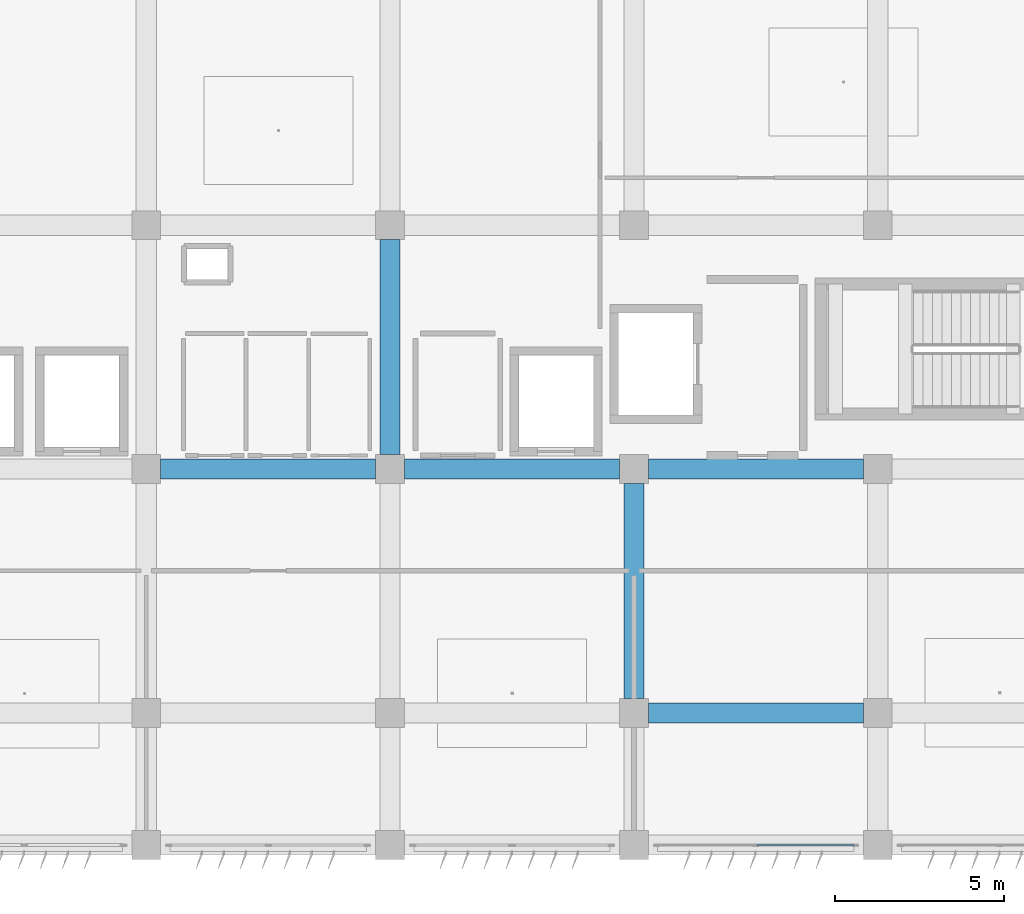
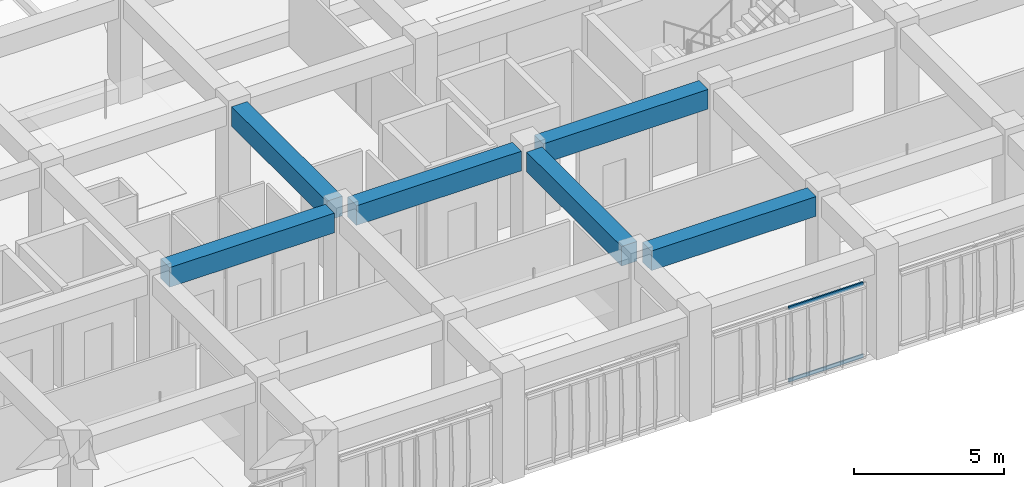
# One storey, part 15 of 48: 6 beams, 2 members, 1 element without a shape of its own.
"""IFC4 building model written with IfcOpenShell, lengths in metres."""

from ifc_helpers import new_model, si_unit, direction, frame, origin, origin_2d, place, context, subcontext, project, spatial, rectangle, hollow_rectangle, extrude, material, material_profile, profile_set, type_object, element, aggregate, save


model = new_model("IFC4")

# Units and contexts
model_context = context("Model", 3, precision=1e-05, world=origin(), true_north=direction((0.0, 1.0)))
body_context = subcontext(model_context, "Body", "Model", "MODEL_VIEW")
ifc_project = project(units=[si_unit("LENGTHUNIT", "METRE"), si_unit("AREAUNIT", "SQUARE_METRE"), si_unit("VOLUMEUNIT", "CUBIC_METRE"), si_unit("PLANEANGLEUNIT", "RADIAN"), si_unit("MASSUNIT", "GRAM", prefix="KILO")], contexts=[model_context])

# Site, building, storey
site_placement = place(None, origin())
site = spatial("IfcSite", under=ifc_project, at=site_placement, CompositionType="ELEMENT")
building_placement = place(site_placement, origin())
building = spatial("IfcBuilding", under=site, at=building_placement, Name="Kazehaya Institute of Natural Sciences", CompositionType="ELEMENT")
storey_placement = place(building_placement, frame((0.0, 0.0, 19.800048828125)))
storey = spatial("IfcBuildingStorey", under=building, at=storey_placement, Name="L04", CompositionType="ELEMENT", Elevation=19.800048828125)

# Beams
ifc_material_1 = material(Name="Concrete Fc36", Category="concrete")
ifc_material_profile_1 = material_profile(ifc_material_1, rectangle(XDim=0.60009765625, YDim=0.800048828125, at=origin_2d()), Name="RC-600x800")
ifc_profile_set_1 = profile_set([ifc_material_profile_1], Name="Concrete Fc36")
beam_type = type_object("IfcBeamType", Name="BM-G-600x800", PredefinedType="BEAM", material=ifc_profile_set_1)
beam_1_placement = place(storey_placement, frame((98.22509765625, 14.0, 3.829833984375), z_axis=(1.0, 0.0, 0.0), x_axis=(0.0, 1.0, 0.0)))
element("IfcBeam", 1, at=beam_1_placement, inside=storey, type_object=beam_type, Name="L04 primary X girder BMX-L04-978-140", PredefinedType="BEAM", context=body_context, shape_type="SweptSolid", body=[
    extrude(rectangle(XDim=0.60009765625, YDim=0.800048828125, at=origin_2d()), origin(), (0.0, 0.0, 1.0), 6.349853515625),
])
for number, where, z_axis, x_axis, name in (
    (2, (83.824951171875, 21.199951171875, 3.829833984375), (1.0, 0.0, 0.0), (0.0, 1.0, 0.0), "L04 primary X girder BMX-L04-834-212"),
    (3, (91.02490234375, 21.199951171875, 3.829833984375), (1.0, 0.0, 0.0), (0.0, 1.0, 0.0), "L04 primary X girder BMX-L04-906-212"),
):
    element("IfcBeam", number, at=place(storey_placement, frame(where, z_axis=z_axis, x_axis=x_axis)), inside=storey, type_object=beam_type, Name=name, PredefinedType="BEAM", context=body_context, shape_type="SweptSolid", body=[
        extrude(rectangle(XDim=0.60009765625, YDim=0.800048828125, at=origin_2d()), origin(), (0.0, 0.0, 1.0), 6.35009765625),
    ])
beam_2_placement = place(storey_placement, frame((98.22509765625, 21.199951171875, 3.829833984375), z_axis=(1.0, 0.0, 0.0), x_axis=(0.0, 1.0, 0.0)))
element("IfcBeam", 4, at=beam_2_placement, inside=storey, type_object=beam_type, Name="L04 primary X girder BMX-L04-978-212", PredefinedType="BEAM", context=body_context, shape_type="SweptSolid", body=[
    extrude(rectangle(XDim=0.60009765625, YDim=0.800048828125, at=origin_2d()), origin(), (0.0, 0.0, 1.0), 6.349853515625),
])
beam_3_placement = place(storey_placement, frame((90.60009765625, 21.625, 3.829833984375), z_axis=(0.0, 1.0, 0.0), x_axis=(-1.0, 0.0, 0.0)))
element("IfcBeam", 5, at=beam_3_placement, inside=storey, type_object=beam_type, Name="L04 primary Y girder BMY-L04-906-212", PredefinedType="BEAM", context=body_context, shape_type="SweptSolid", body=[
    extrude(rectangle(XDim=0.60009765625, YDim=0.800048828125, at=origin_2d()), origin(), (0.0, 0.0, 1.0), 6.35009765625),
])
beam_4_placement = place(storey_placement, frame((97.800048828125, 14.425048828125, 3.829833984375), z_axis=(0.0, 1.0, 0.0), x_axis=(-1.0, 0.0, 0.0)))
element("IfcBeam", 6, at=beam_4_placement, inside=storey, type_object=beam_type, Name="L04 primary Y girder BMY-L04-978-140", PredefinedType="BEAM", context=body_context, shape_type="SweptSolid", body=[
    extrude(rectangle(XDim=0.60009765625, YDim=0.800048828125, at=origin_2d()), origin(), (0.0, 0.0, 1.0), 6.349853515625),
])

# Curtain wall, members
ifc_material_2 = material(Name="Aluminium alloy A6063S-T5", Category="aluminium")
curtain_wall_type = type_object("IfcCurtainWallType", Name="CW-SYS-04", PredefinedType="NOTDEFINED", material=ifc_material_2)
curtain_wall_placement = place(storey_placement, origin())
curtain_wall = element("IfcCurtainWall", 7, at=curtain_wall_placement, inside=storey, type_object=curtain_wall_type, Name="L04 unitised curtain wall CW-L04-077", PredefinedType="NOTDEFINED")
ifc_material_profile_2 = material_profile(ifc_material_2, hollow_rectangle(XDim=0.06005859375, YDim=0.139892578125, WallThickness=0.00341796875, at=origin_2d()), Name="ALU-60x140x3.5")
ifc_profile_set_2 = profile_set([ifc_material_profile_2], Name="Aluminium alloy A6063S-T5")
member_type = type_object("IfcMemberType", Name="CWT-140", PredefinedType="USERDEFINED", material=ifc_profile_set_2)
member_1_placement = place(storey_placement, frame((104.300048828125, 10.10009765625, 0.030029296875), z_axis=(-1.0, 0.0, 0.0), x_axis=(0.0, -1.0, 0.0)))
member_1 = element("IfcMember", 8, at=member_1_placement, type_object=member_type, Name="CW04 transom 1.1", ObjectType="TRANSOM", PredefinedType="USERDEFINED", context=body_context, shape_type="SweptSolid", body=[
    extrude(hollow_rectangle(XDim=0.06005859375, YDim=0.139892578125, WallThickness=0.00341796875, at=origin_2d()), origin(), (0.0, 0.0, 1.0), 2.8701171875),
])
member_2_placement = place(storey_placement, frame((104.300048828125, 10.10009765625, 2.969970703125), z_axis=(-1.0, 0.0, 0.0), x_axis=(0.0, -1.0, 0.0)))
member_2 = element("IfcMember", 9, at=member_2_placement, type_object=member_type, Name="CW04 transom 1.2", ObjectType="TRANSOM", PredefinedType="USERDEFINED", context=body_context, shape_type="SweptSolid", body=[
    extrude(hollow_rectangle(XDim=0.06005859375, YDim=0.139892578125, WallThickness=0.00341796875, at=origin_2d()), origin(), (0.0, 0.0, 1.0), 2.8701171875),
])
aggregate(curtain_wall, [member_1, member_2])

save(model, "model.ifc")
